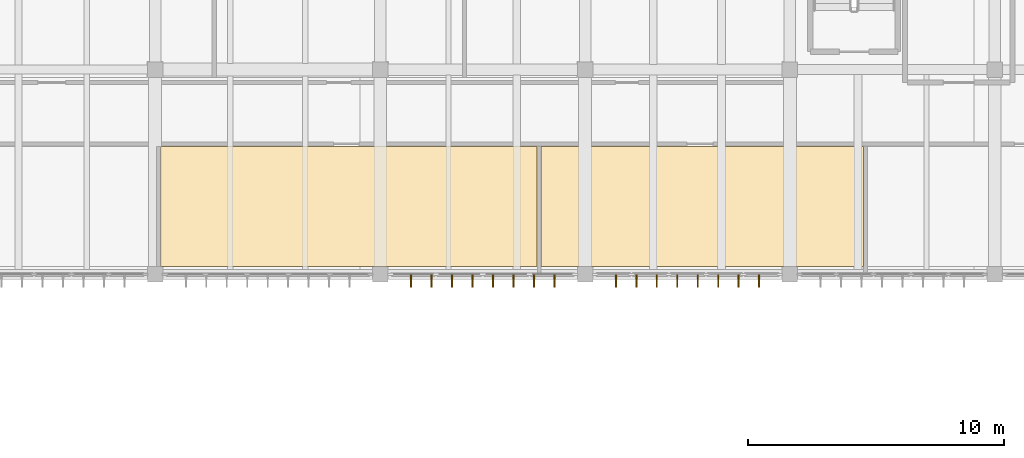
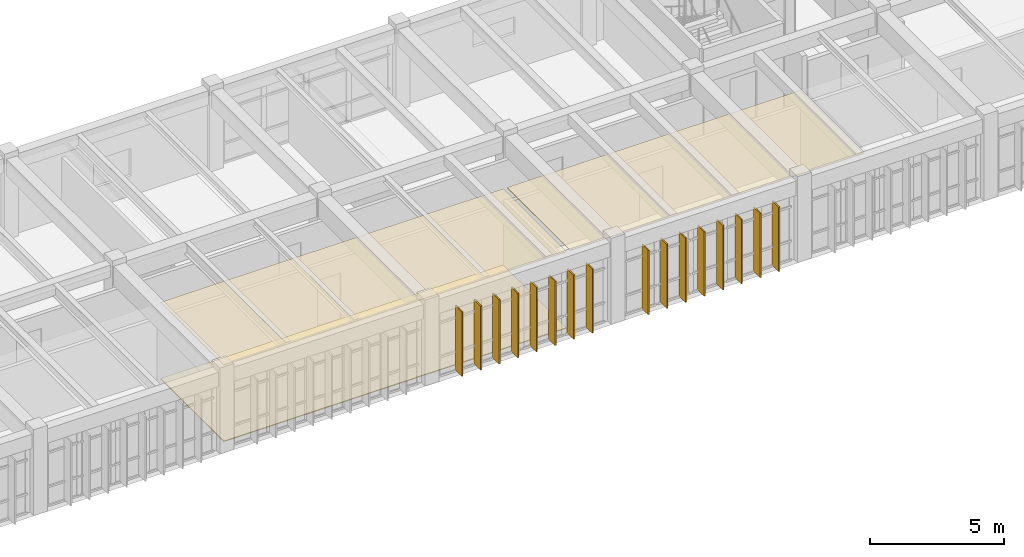
# One storey, part 19 of 22: 16 shading devices, 3 coverings.
"""IFC4 building model written with IfcOpenShell, lengths in metres."""

from ifc_helpers import new_model, si_unit, direction, frame, origin, origin_2d, place, context, subcontext, project, spatial, polyline, rectangle, outline, extrude, material, layer, layer_set, type_object, element, save


model = new_model("IFC4")

# Units and contexts
model_context = context("Model", 3, precision=1e-05, world=origin(), true_north=direction((0.0, 1.0)))
body_context = subcontext(model_context, "Body", "Model", "MODEL_VIEW")
ifc_project = project(units=[si_unit("LENGTHUNIT", "METRE"), si_unit("AREAUNIT", "SQUARE_METRE"), si_unit("VOLUMEUNIT", "CUBIC_METRE"), si_unit("PLANEANGLEUNIT", "RADIAN"), si_unit("MASSUNIT", "GRAM", prefix="KILO")], contexts=[model_context])

# Site, building, storey
site_placement = place(None, origin())
site = spatial("IfcSite", under=ifc_project, at=site_placement, CompositionType="ELEMENT")
building_placement = place(site_placement, origin())
building = spatial("IfcBuilding", under=site, at=building_placement, Name="Tlaxcora Railside Police Headquarters", CompositionType="ELEMENT")
storey_placement = place(building_placement, frame((0.0, 0.0, 21.89990234375)))
storey = spatial("IfcBuildingStorey", under=building, at=storey_placement, Name="L05", CompositionType="ELEMENT", Elevation=21.89990234375)

# Coverings
ifc_material_1 = material(Name="Mineral-fibre acoustic ceiling tile")
ifc_layer_1 = layer(ifc_material_1, 0.034912109375, Name="Mineral-fibre acoustic ceiling tile")
ifc_layer_set_1 = layer_set([ifc_layer_1], Name="Mineral-fibre acoustic ceiling tile")
covering_type_1 = type_object("IfcCoveringType", Name="Acoustic Suspended Ceiling CLG-01", PredefinedType="CEILING", material=ifc_layer_set_1)
covering_1_placement = place(storey_placement, frame((0.0, 0.0, 3.465087890625)))
element("IfcCovering", 1, at=covering_1_placement, inside=storey, type_object=covering_type_1, Name="Inter-Municipal Intelligence Fusion Room suspended ceiling", PredefinedType="CEILING", context=body_context, shape_type="SweptSolid", body=[
    extrude(outline(polyline([(60.1259765625, 77.10009765625), (60.1259765625, 81.800048828125), (45.4140625, 81.800048828125), (45.4140625, 77.110107421875), (45.510009765625, 77.110107421875), (45.510009765625, 77.10009765625), (53.68994140625, 77.10009765625), (53.68994140625, 77.110107421875), (54.31005859375, 77.110107421875), (54.31005859375, 77.10009765625), (60.1259765625, 77.10009765625)])), origin(), (0.0, 0.0, 1.0), 0.034912109375),
])
covering_2_placement = place(storey_placement, frame((0.0, 0.0, 3.465087890625)))
element("IfcCovering", 2, at=covering_2_placement, inside=storey, type_object=covering_type_1, Name="Taskforce Case Review Briefing Room suspended ceiling", PredefinedType="CEILING", context=body_context, shape_type="SweptSolid", body=[
    extrude(outline(polyline([(72.873046875, 77.10009765625), (72.873046875, 81.800048828125), (60.285888671875, 81.800048828125), (60.285888671875, 77.10009765625), (61.68994140625, 77.10009765625), (61.68994140625, 77.110107421875), (62.31005859375, 77.110107421875), (62.31005859375, 77.10009765625), (69.68994140625, 77.10009765625), (69.68994140625, 77.110107421875), (70.31005859375, 77.110107421875), (70.31005859375, 77.10009765625), (72.873046875, 77.10009765625)])), origin(), (0.0, 0.0, 1.0), 0.034912109375),
])

# Shading devices
ifc_material_2 = material(Name="Anodised aluminium framing", Category="aluminium")
ifc_layer_2 = layer(ifc_material_2, 0.054931640625, Name="Anodised aluminium framing")
ifc_layer_set_2 = layer_set([ifc_layer_2], Name="Anodised aluminium framing")
shading_device_type = type_object("IfcShadingDeviceType", Name="Solar Control Fin SF-01", PredefinedType="JALOUSIE", material=ifc_layer_set_2)
for number, where, z_axis, x_axis, name in (
    (3, (55.199951171875, 76.5400390625, 0.0400390625), (0.0, 0.0, 1.0), (0.0, -1.0, 0.0), "Vertical solar fin 550"),
    (4, (56.0, 76.5400390625, 0.0400390625), (0.0, 0.0, 1.0), (0.0, -1.0, 0.0), "Vertical solar fin 551"),
    (5, (56.800048828125, 76.5400390625, 0.0400390625), (0.0, 0.0, 1.0), (0.0, -1.0, 0.0), "Vertical solar fin 552"),
    (6, (57.60009765625, 76.5400390625, 0.0400390625), (0.0, 0.0, 1.0), (0.0, -1.0, 0.0), "Vertical solar fin 553"),
    (7, (58.39990234375, 76.5400390625, 0.0400390625), (0.0, 0.0, 1.0), (0.0, -1.0, 0.0), "Vertical solar fin 554"),
    (8, (59.199951171875, 76.5400390625, 0.0400390625), (0.0, 0.0, 1.0), (0.0, -1.0, 0.0), "Vertical solar fin 555"),
    (9, (60.0, 76.5400390625, 0.0400390625), (0.0, 0.0, 1.0), (0.0, -1.0, 0.0), "Vertical solar fin 556"),
    (10, (60.800048828125, 76.5400390625, 0.0400390625), (0.0, 0.0, 1.0), (0.0, -1.0, 0.0), "Vertical solar fin 557"),
    (11, (63.199951171875, 76.5400390625, 0.0400390625), (0.0, 0.0, 1.0), (0.0, -1.0, 0.0), "Vertical solar fin 558"),
    (12, (64.0, 76.5400390625, 0.0400390625), (0.0, 0.0, 1.0), (0.0, -1.0, 0.0), "Vertical solar fin 559"),
    (13, (64.800048828125, 76.5400390625, 0.0400390625), (0.0, 0.0, 1.0), (0.0, -1.0, 0.0), "Vertical solar fin 560"),
    (14, (65.60009765625, 76.5400390625, 0.0400390625), (0.0, 0.0, 1.0), (0.0, -1.0, 0.0), "Vertical solar fin 561"),
    (15, (66.39990234375, 76.5400390625, 0.0400390625), (0.0, 0.0, 1.0), (0.0, -1.0, 0.0), "Vertical solar fin 562"),
    (16, (67.199951171875, 76.5400390625, 0.0400390625), (0.0, 0.0, 1.0), (0.0, -1.0, 0.0), "Vertical solar fin 563"),
    (17, (68.0, 76.5400390625, 0.0400390625), (0.0, 0.0, 1.0), (0.0, -1.0, 0.0), "Vertical solar fin 564"),
    (18, (68.800048828125, 76.5400390625, 0.0400390625), (0.0, 0.0, 1.0), (0.0, -1.0, 0.0), "Vertical solar fin 565"),
):
    element("IfcShadingDevice", number, at=place(storey_placement, frame(where, z_axis=z_axis, x_axis=x_axis)), inside=storey, type_object=shading_device_type, Name=name, PredefinedType="JALOUSIE", context=body_context, shape_type="SweptSolid", body=[
        extrude(rectangle(XDim=0.47998046875, YDim=0.054931640625, at=origin_2d()), origin(), (0.0, 0.0, 1.0), 2.919921875),
    ])

# Covering
ifc_material_3 = material(Name="Heavy-duty resin and raised-access technical flooring")
ifc_layer_3 = layer(ifc_material_3, 0.0400390625, Name="Heavy-duty resin and raised-access technical flooring")
ifc_layer_set_3 = layer_set([ifc_layer_3], Name="Heavy-duty resin and raised-access technical flooring")
covering_type_2 = type_object("IfcCoveringType", Name="Technical Raised Access Flooring FLR-01", PredefinedType="FLOORING", material=ifc_layer_set_3)
covering_3_placement = place(storey_placement, origin())
element("IfcCovering", 19, at=covering_3_placement, inside=storey, type_object=covering_type_2, Name="Inter-Municipal Intelligence Fusion Room technical floor finish", PredefinedType="FLOORING", context=body_context, shape_type="SweptSolid", body=[
    extrude(outline(polyline([(60.1259765625, 77.10009765625), (60.1259765625, 81.800048828125), (45.4140625, 81.800048828125), (45.4140625, 77.110107421875), (45.510009765625, 77.110107421875), (45.510009765625, 77.10009765625), (53.68994140625, 77.10009765625), (53.68994140625, 77.110107421875), (54.31005859375, 77.110107421875), (54.31005859375, 77.10009765625), (60.1259765625, 77.10009765625)])), origin(), (0.0, 0.0, 1.0), 0.0400390625),
])

save(model, "model.ifc")
